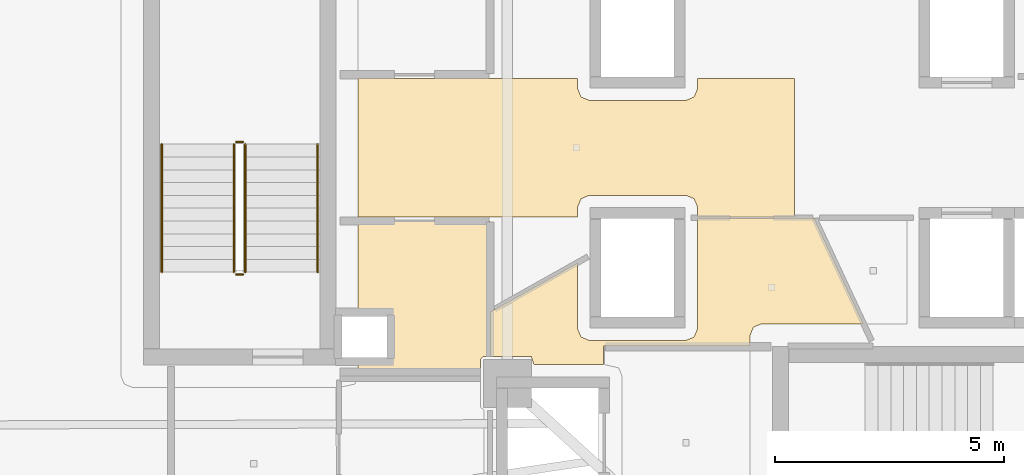
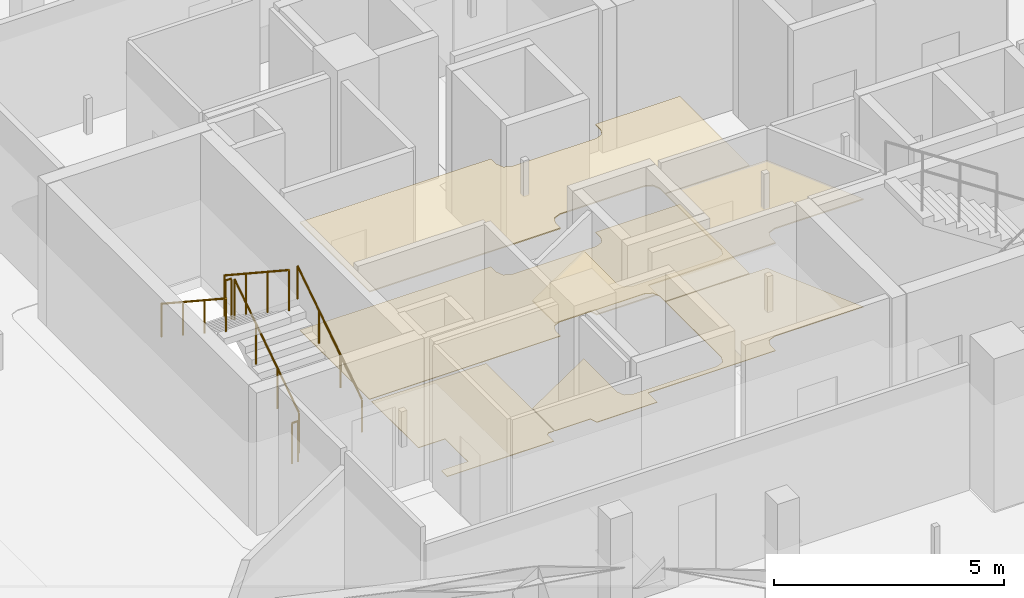
# One storey, part 35 of 40: 6 railings, 5 coverings.
"""IFC4 building model written with IfcOpenShell, lengths in metres."""

from ifc_helpers import new_model, si_unit, direction, frame, origin, origin_2d, place, context, subcontext, project, spatial, polyline, circle, outline, extrude, material, layer, layer_set, type_object, element, save


model = new_model("IFC4")

# Units and contexts
model_context = context("Model", 3, precision=1e-05, world=origin(), true_north=direction((0.0, 1.0)))
body_context = subcontext(model_context, "Body", "Model", "MODEL_VIEW")
ifc_project = project(units=[si_unit("LENGTHUNIT", "METRE"), si_unit("AREAUNIT", "SQUARE_METRE"), si_unit("VOLUMEUNIT", "CUBIC_METRE"), si_unit("PLANEANGLEUNIT", "RADIAN"), si_unit("MASSUNIT", "GRAM", prefix="KILO")], contexts=[model_context])

# Site, building, storey
site_placement = place(None, origin())
site = spatial("IfcSite", under=ifc_project, at=site_placement, CompositionType="ELEMENT")
building_placement = place(site_placement, origin())
building = spatial("IfcBuilding", under=site, at=building_placement, Name="Qorvath Tower", CompositionType="ELEMENT")
storey_placement = place(building_placement, frame((0.0, 0.0, 138.14990234375)))
storey = spatial("IfcBuildingStorey", under=building, at=storey_placement, Name="L31", CompositionType="ELEMENT", Elevation=138.14990234375)

# Coverings
ifc_material_1 = material(Name="Acoustic mineral fibre ceiling tile", Category="gypsum")
ifc_layer_1 = layer(ifc_material_1, 0.030029296875)
ifc_layer_set_1 = layer_set([ifc_layer_1], Name="COV-CEIL")
covering_type_1 = type_object("IfcCoveringType", Name="COV-CEIL", PredefinedType="CEILING", material=ifc_layer_set_1)
covering_1_placement = place(storey_placement, frame((0.0, 0.0, 2.85009765625)))
element("IfcCovering", 1, at=covering_1_placement, inside=storey, type_object=covering_type_1, Name="L31 Suspended Acoustic Ceiling 010", PredefinedType="CEILING", context=body_context, shape_type="SweptSolid", body=[
    extrude(outline(polyline([(-24.220458984375, -1.514892578125), (-24.220458984375, 1.514892578125), (-26.340087890625, 1.514892578125), (-26.340087890625, 1.2900390625), (-26.413330078125, 1.11328125), (-26.590087890625, 1.0400390625), (-28.7099609375, 1.0400390625), (-28.88671875, 1.11328125), (-28.9599609375, 1.2900390625), (-28.9599609375, 1.514892578125), (-33.760009765625, 1.514892578125), (-33.760009765625, -1.514892578125), (-28.9599609375, -1.514892578125), (-28.9599609375, -1.2900390625), (-28.88671875, -1.11328125), (-28.7099609375, -1.0400390625), (-26.590087890625, -1.0400390625), (-26.413330078125, -1.11328125), (-26.340087890625, -1.2900390625), (-26.340087890625, -1.514892578125), (-24.220458984375, -1.514892578125)])), origin(), (0.0, 0.0, 1.0), 0.030029296875),
])
covering_2_placement = place(storey_placement, frame((0.0, 0.0, 2.85009765625)))
element("IfcCovering", 2, at=covering_2_placement, inside=storey, type_object=covering_type_1, Name="L31 Suspended Acoustic Ceiling 017", PredefinedType="CEILING", context=body_context, shape_type="SweptSolid", body=[
    extrude(outline(polyline([(-25.18994140625, -4.33154296875), (-25.18994140625, -4.10009765625), (-25.11669921875, -3.92333984375), (-24.93994140625, -3.85009765625), (-22.709716796875, -3.85009765625), (-23.79052734375, -1.532958984375), (-26.340087890625, -1.532958984375), (-26.340087890625, -3.9599609375), (-26.413330078125, -4.13671875), (-26.590087890625, -4.2099609375), (-28.7099609375, -4.2099609375), (-28.88671875, -4.13671875), (-28.9599609375, -3.9599609375), (-28.9599609375, -2.512939453125), (-30.866943359375, -3.5849609375), (-30.866943359375, -4.56494140625), (-29.97509765625, -4.56494140625), (-29.9150390625, -4.739990234375), (-28.39306640625, -4.739990234375), (-28.3916015625, -4.33837890625), (-25.18994140625, -4.33154296875)])), origin(), (0.0, 0.0, 1.0), 0.030029296875),
])
ifc_material_2 = material(Name="Low-VOC modular carpet tile", Category="textile")
ifc_layer_2 = layer(ifc_material_2, 0.014892578125)
ifc_layer_set_2 = layer_set([ifc_layer_2], Name="COV-FLOOR-CPT")
covering_type_2 = type_object("IfcCoveringType", Name="COV-FLOOR-CPT", PredefinedType="FLOORING", material=ifc_layer_set_2)
covering_3_placement = place(storey_placement, origin())
element("IfcCovering", 3, at=covering_3_placement, inside=storey, type_object=covering_type_2, Name="L31 Floor Finish 007", PredefinedType="FLOORING", context=body_context, shape_type="SweptSolid", body=[
    extrude(outline(polyline([(-30.885009765625, -4.56494140625), (-30.885009765625, -1.60498046875), (-33.760009765625, -1.60498046875), (-33.760009765625, -3.636962890625), (-33.08837890625, -3.638427734375), (-33.0869140625, -4.6279296875), (-33.760009765625, -4.633056640625), (-33.760009765625, -4.89501953125), (-31.0849609375, -4.89501953125), (-31.0849609375, -4.625), (-31.02490234375, -4.56494140625), (-30.885009765625, -4.56494140625)])), origin(), (0.0, 0.0, 1.0), 0.01513671875),
])
covering_4_placement = place(storey_placement, origin())
element("IfcCovering", 4, at=covering_4_placement, inside=storey, type_object=covering_type_2, Name="L31 Floor Finish 017", PredefinedType="FLOORING", context=body_context, shape_type="SweptSolid", body=[
    extrude(outline(polyline([(-25.18994140625, -4.33154296875), (-25.18994140625, -4.10009765625), (-25.11669921875, -3.92333984375), (-24.93994140625, -3.85009765625), (-22.709716796875, -3.85009765625), (-23.79052734375, -1.532958984375), (-26.340087890625, -1.532958984375), (-26.340087890625, -3.9599609375), (-26.413330078125, -4.13671875), (-26.590087890625, -4.2099609375), (-28.7099609375, -4.2099609375), (-28.88671875, -4.13671875), (-28.9599609375, -3.9599609375), (-28.9599609375, -2.512939453125), (-30.866943359375, -3.5849609375), (-30.866943359375, -4.56494140625), (-29.97509765625, -4.56494140625), (-29.9150390625, -4.739990234375), (-28.39306640625, -4.739990234375), (-28.3916015625, -4.33837890625), (-25.18994140625, -4.33154296875)])), origin(), (0.0, 0.0, 1.0), 0.01513671875),
])
ifc_material_3 = material(Name="Polished epoxy terrazzo flooring", Category="concrete")
ifc_layer_3 = layer(ifc_material_3, 0.02001953125)
ifc_layer_set_3 = layer_set([ifc_layer_3], Name="COV-FLOOR-TRZ")
covering_type_3 = type_object("IfcCoveringType", Name="COV-FLOOR-TRZ", PredefinedType="FLOORING", material=ifc_layer_set_3)
covering_5_placement = place(storey_placement, origin())
element("IfcCovering", 5, at=covering_5_placement, inside=storey, type_object=covering_type_3, Name="L31 Floor Finish 010", PredefinedType="FLOORING", context=body_context, shape_type="SweptSolid", body=[
    extrude(outline(polyline([(-24.220458984375, -1.514892578125), (-24.220458984375, 1.514892578125), (-26.340087890625, 1.514892578125), (-26.340087890625, 1.2900390625), (-26.413330078125, 1.11328125), (-26.590087890625, 1.0400390625), (-28.7099609375, 1.0400390625), (-28.88671875, 1.11328125), (-28.9599609375, 1.2900390625), (-28.9599609375, 1.514892578125), (-33.760009765625, 1.514892578125), (-33.760009765625, -1.514892578125), (-28.9599609375, -1.514892578125), (-28.9599609375, -1.2900390625), (-28.88671875, -1.11328125), (-28.7099609375, -1.0400390625), (-26.590087890625, -1.0400390625), (-26.413330078125, -1.11328125), (-26.340087890625, -1.2900390625), (-26.340087890625, -1.514892578125), (-24.220458984375, -1.514892578125)])), origin(), (0.0, 0.0, 1.0), 0.01513671875),
])

# Railings
ifc_material_4 = material(Name="Painted galvanised steel", Category="steel")
railing_type_1 = type_object("IfcRailingType", Name="RL-STR-GRD", PredefinedType="GUARDRAIL", material=ifc_material_4)
railing_1_placement = place(storey_placement, frame((-36.22998046875, -2.719970703125, 0.18408203125)))
element("IfcRailing", 6, at=railing_1_placement, inside=storey, type_object=railing_type_1, Name="L31 TS3 stair guard 1", PredefinedType="GUARDRAIL", context=body_context, shape_type="SweptSolid", body=[
    extrude(circle(Radius=0.02392578125, at=origin_2d()), frame((0.0, 0.0, 1.076171875), z_axis=(0.0, 0.83556406348, 0.549393024911), x_axis=(-1.0, 0.0, 0.0)), (0.0, 0.0, 1.0), 3.35107421875),
    extrude(circle(Radius=0.02099609375, at=origin_2d()), origin(), (0.0, 0.0, 1.0), 1.052001953125),
    extrude(circle(Radius=0.02099609375, at=origin_2d()), frame((0.0, 0.933349609375, 0.61376953125)), (0.0, 0.0, 1.0), 1.052001953125),
    extrude(circle(Radius=0.02099609375, at=origin_2d()), frame((0.0, 1.86669921875, 1.227294921875)), (0.0, 0.0, 1.0), 1.052001953125),
    extrude(circle(Radius=0.02099609375, at=origin_2d()), frame((0.0, 2.800048828125, 1.841064453125)), (0.0, 0.0, 1.0), 1.052001953125),
])
railing_2_placement = place(storey_placement, frame((-36.280029296875, 0.1298828125, 2.025146484375)))
element("IfcRailing", 7, at=railing_2_placement, inside=storey, type_object=railing_type_1, Name="L31 TS3 stair guard 2", PredefinedType="GUARDRAIL", context=body_context, shape_type="SweptSolid", body=[
    extrude(circle(Radius=0.02392578125, at=origin_2d()), frame((0.0, 0.0, 1.076171875), z_axis=(-1.0, 0.0, 0.0), x_axis=(0.0, -1.0, 0.0)), (0.0, 0.0, 1.0), 0.14990234375),
    extrude(circle(Radius=0.02099609375, at=origin_2d()), origin(), (0.0, 0.0, 1.0), 1.052001953125),
    extrude(circle(Radius=0.02099609375, at=origin_2d()), frame((-0.14990234375, 0.0, 0.0)), (0.0, 0.0, 1.0), 1.052001953125),
])
railing_3_placement = place(storey_placement, frame((-36.47998046875, 0.080078125, 2.209228515625)))
element("IfcRailing", 8, at=railing_3_placement, inside=storey, type_object=railing_type_1, Name="L31 TS3 stair guard 3", PredefinedType="GUARDRAIL", context=body_context, shape_type="SweptSolid", body=[
    extrude(circle(Radius=0.02392578125, at=origin_2d()), frame((0.0, 0.0, 1.076171875), z_axis=(0.0, -0.835597507184, 0.549342157483), x_axis=(1.0, 0.0, 0.0)), (0.0, 0.0, 1.0), 3.35107421875),
    extrude(circle(Radius=0.02099609375, at=origin_2d()), origin(), (0.0, 0.0, 1.0), 1.052001953125),
    extrude(circle(Radius=0.02099609375, at=origin_2d()), frame((0.0, -0.933349609375, 0.613525390625)), (0.0, 0.0, 1.0), 1.052001953125),
    extrude(circle(Radius=0.02099609375, at=origin_2d()), frame((0.0, -1.86669921875, 1.227294921875)), (0.0, 0.0, 1.0), 1.052001953125),
    extrude(circle(Radius=0.02099609375, at=origin_2d()), frame((0.0, -2.800048828125, 1.8408203125)), (0.0, 0.0, 1.0), 1.052001953125),
])
railing_4_placement = place(storey_placement, frame((-36.280029296875, -2.77001953125, 0.0)))
element("IfcRailing", 9, at=railing_4_placement, inside=storey, type_object=railing_type_1, Name="L31 TS3 stair guard 4", PredefinedType="GUARDRAIL", context=body_context, shape_type="SweptSolid", body=[
    extrude(circle(Radius=0.02392578125, at=origin_2d()), frame((0.0, 0.0, 1.076171875), z_axis=(-1.0, 0.0, 0.0), x_axis=(0.0, -1.0, 0.0)), (0.0, 0.0, 1.0), 0.14990234375),
    extrude(circle(Radius=0.02099609375, at=origin_2d()), origin(), (0.0, 0.0, 1.0), 1.052001953125),
    extrude(circle(Radius=0.02099609375, at=origin_2d()), frame((-0.14990234375, 0.0, 0.0)), (0.0, 0.0, 1.0), 1.052001953125),
])
ifc_material_5 = material(Name="Brushed stainless steel AISI 304", Category="steel")
railing_type_2 = type_object("IfcRailingType", Name="RL-STR-HND", PredefinedType="HANDRAIL", material=ifc_material_5)
railing_5_placement = place(storey_placement, frame((-34.64990234375, -2.719970703125, 0.18408203125)))
element("IfcRailing", 10, at=railing_5_placement, inside=storey, type_object=railing_type_2, Name="L31 TS3 stair handrail 1", PredefinedType="HANDRAIL", context=body_context, shape_type="SweptSolid", body=[
    extrude(circle(Radius=0.02392578125, at=origin_2d()), frame((0.0, 0.0, 0.8759765625), z_axis=(0.0, 0.83556406348, 0.549393024911), x_axis=(-1.0, 0.0, 0.0)), (0.0, 0.0, 1.0), 3.35107421875),
    extrude(circle(Radius=0.02099609375, at=origin_2d()), origin(), (0.0, 0.0, 1.0), 0.851806640625),
    extrude(circle(Radius=0.02099609375, at=origin_2d()), frame((0.0, 0.933349609375, 0.61376953125)), (0.0, 0.0, 1.0), 0.851806640625),
    extrude(circle(Radius=0.02099609375, at=origin_2d()), frame((0.0, 1.86669921875, 1.227294921875)), (0.0, 0.0, 1.0), 0.851806640625),
    extrude(circle(Radius=0.02099609375, at=origin_2d()), frame((0.0, 2.800048828125, 1.841064453125)), (0.0, 0.0, 1.0), 0.851806640625),
])
railing_6_placement = place(storey_placement, frame((-38.06005859375, 0.080078125, 2.209228515625)))
element("IfcRailing", 11, at=railing_6_placement, inside=storey, type_object=railing_type_2, Name="L31 TS3 stair handrail 2", PredefinedType="HANDRAIL", context=body_context, shape_type="SweptSolid", body=[
    extrude(circle(Radius=0.02392578125, at=origin_2d()), frame((0.0, 0.0, 0.8759765625), z_axis=(0.0, -0.835597507184, 0.549342157483), x_axis=(1.0, 0.0, 0.0)), (0.0, 0.0, 1.0), 3.35107421875),
    extrude(circle(Radius=0.02099609375, at=origin_2d()), origin(), (0.0, 0.0, 1.0), 0.851806640625),
    extrude(circle(Radius=0.02099609375, at=origin_2d()), frame((0.0, -0.933349609375, 0.613525390625)), (0.0, 0.0, 1.0), 0.851806640625),
    extrude(circle(Radius=0.02099609375, at=origin_2d()), frame((0.0, -1.86669921875, 1.227294921875)), (0.0, 0.0, 1.0), 0.851806640625),
    extrude(circle(Radius=0.02099609375, at=origin_2d()), frame((0.0, -2.800048828125, 1.8408203125)), (0.0, 0.0, 1.0), 0.851806640625),
])

save(model, "model.ifc")
